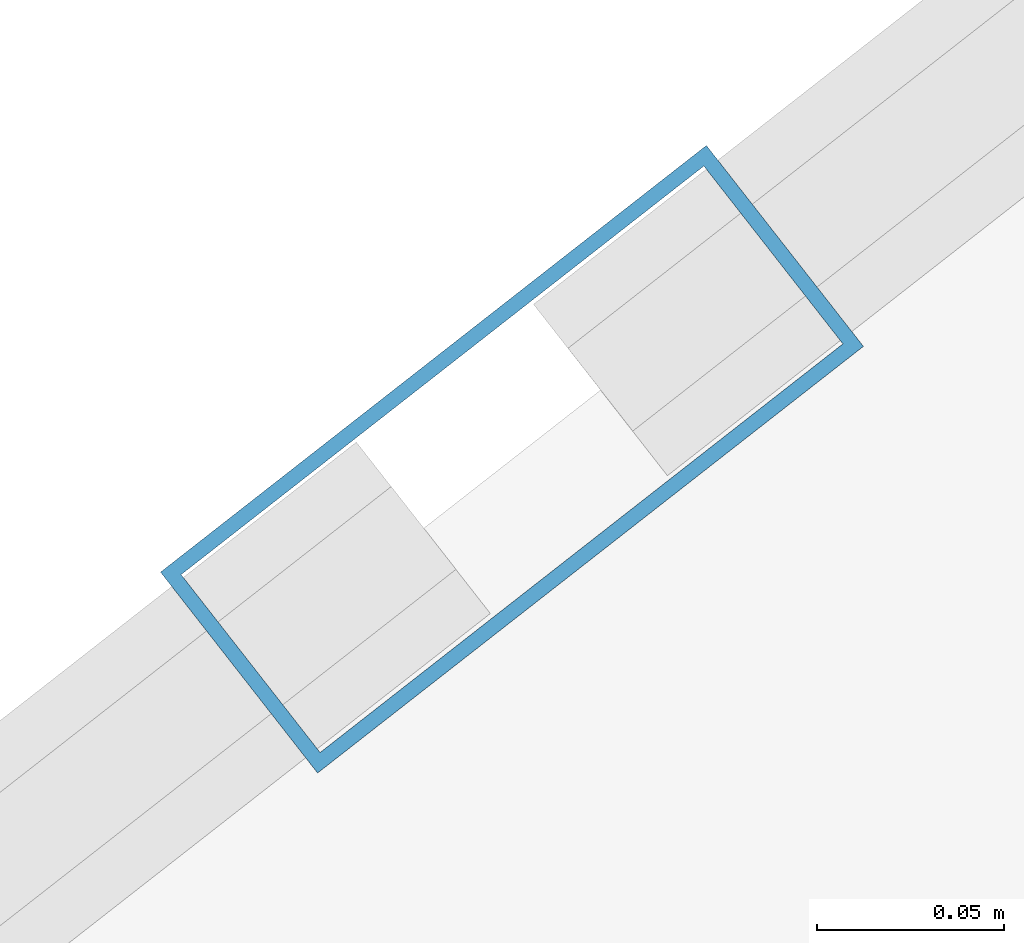
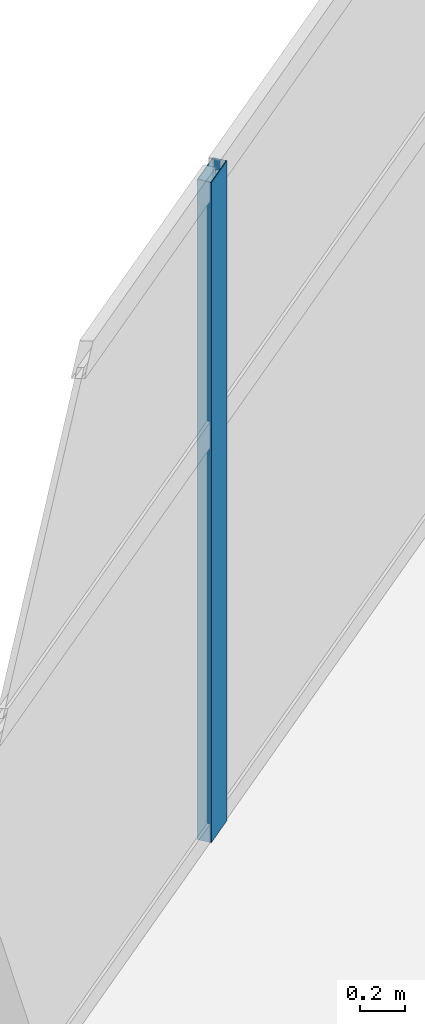
# One storey, part 12 of 30: 1 member, 1 element without a shape of its own.
"""IFC4 building model written with IfcOpenShell, lengths in metres."""

from ifc_helpers import new_model, si_unit, direction, frame, origin, origin_2d, place, context, subcontext, project, spatial, hollow_rectangle, extrude, material, layer, layer_set, material_profile, profile_set, type_object, element, aggregate, save


model = new_model("IFC4")

# Units and contexts
model_context = context("Model", 3, precision=1e-05, world=origin(), true_north=direction((0.0, 1.0)))
body_context = subcontext(model_context, "Body", "Model", "MODEL_VIEW")
ifc_project = project(units=[si_unit("LENGTHUNIT", "METRE"), si_unit("AREAUNIT", "SQUARE_METRE"), si_unit("VOLUMEUNIT", "CUBIC_METRE"), si_unit("PLANEANGLEUNIT", "RADIAN"), si_unit("MASSUNIT", "GRAM", prefix="KILO")], contexts=[model_context])

# Site, building, storey
site_placement = place(None, origin())
site = spatial("IfcSite", under=ifc_project, at=site_placement, CompositionType="ELEMENT")
building_placement = place(site_placement, origin())
building = spatial("IfcBuilding", under=site, at=building_placement, Name="Calvorn Quay Hotel", CompositionType="ELEMENT")
storey_placement = place(building_placement, frame((0.0, 0.0, 207.199951171875)))
storey = spatial("IfcBuildingStorey", under=building, at=storey_placement, Name="L51", CompositionType="ELEMENT", Elevation=207.199951171875)

# Curtain wall, member
ifc_material_1 = material(Name="Champagne Bronze Anodised Aluminium and Low-E Glass", Category="aluminium")
ifc_layer = layer(ifc_material_1, 0.219970703125)
ifc_layer_set = layer_set([ifc_layer], Name="CW-SYS-Z3")
curtain_wall_type = type_object("IfcCurtainWallType", Name="CW-SYS-Z3", PredefinedType="NOTDEFINED", material=ifc_layer_set)
curtain_wall_placement = place(storey_placement, origin())
curtain_wall = element("IfcCurtainWall", 1, at=curtain_wall_placement, inside=storey, type_object=curtain_wall_type, Name="Inner Court Curtain Wall L51-NE1", PredefinedType="NOTDEFINED")
ifc_material_2 = material(Name="Champagne Bronze Anodised Aluminium 6063-T6", Category="aluminium")
ifc_material_profile = material_profile(ifc_material_2, hollow_rectangle(XDim=0.068115234375, YDim=0.18505859375, WallThickness=0.00390625, at=origin_2d()), Name="ALU-M185x68x4")
ifc_profile_set = profile_set([ifc_material_profile], Name="Champagne Bronze Anodised Aluminium 6063-T6")
member_type = type_object("IfcMemberType", Name="CW-SYS-Z3-MUL", PredefinedType="MULLION", material=ifc_profile_set)
member_placement = place(storey_placement, frame((30.300048828125, 31.199951171875, 0.0), z_axis=(0.0, 0.0, 1.0), x_axis=(0.615819768044, -0.787887056174, 0.0)))
member = element("IfcMember", 2, at=member_placement, type_object=member_type, Name="CW-L51-NE1 mullion 2", PredefinedType="MULLION", context=body_context, shape_type="SweptSolid", body=[
    extrude(hollow_rectangle(XDim=0.068115234375, YDim=0.18505859375, WallThickness=0.00390625, at=origin_2d()), origin(), (0.0, 0.0, 1.0), 3.56005859375),
])
aggregate(curtain_wall, [member])

save(model, "model.ifc")
